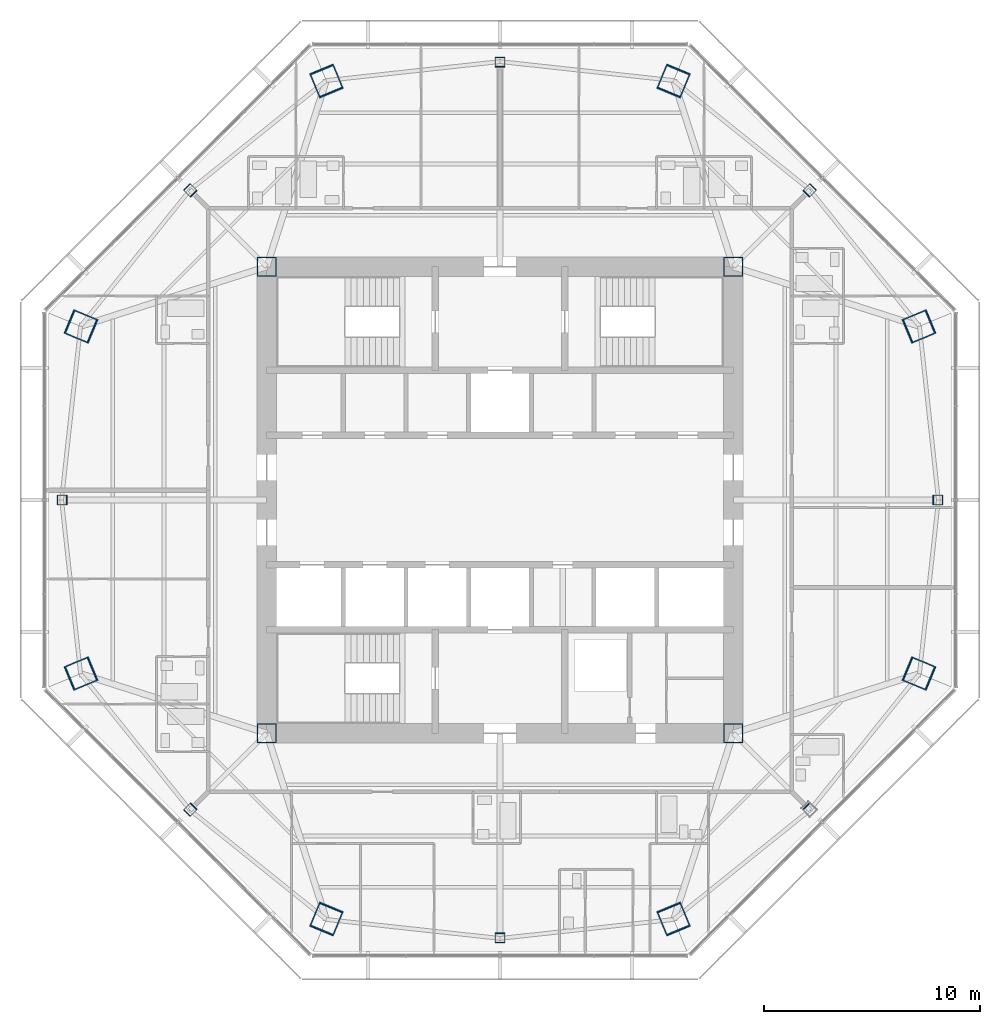
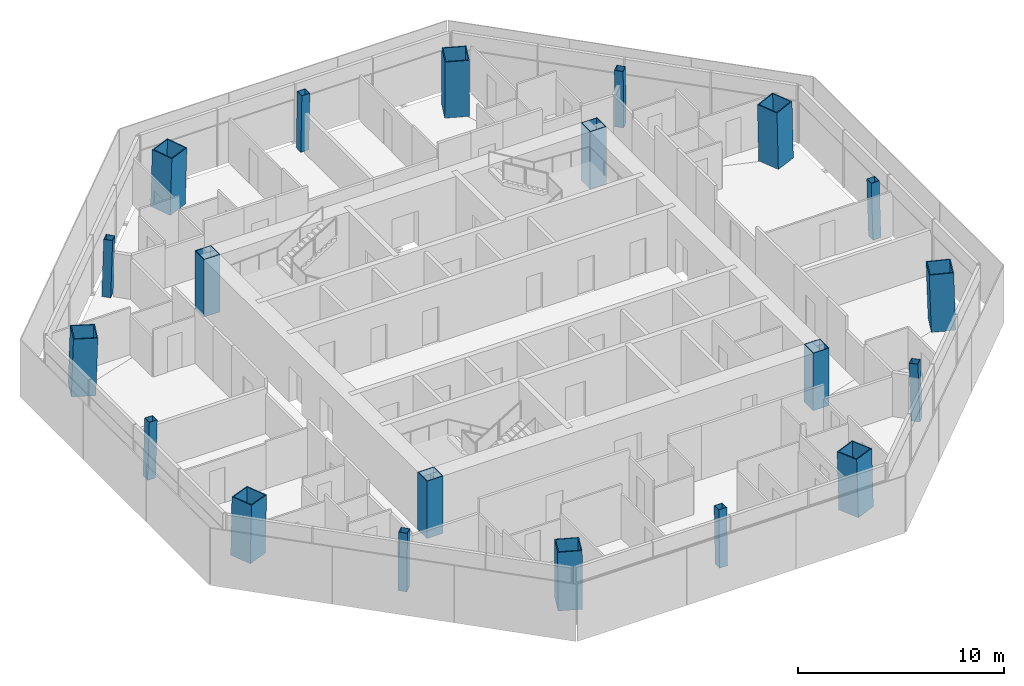
# One storey, part 1 of 14: 20 columns.
"""IFC4 building model written with IfcOpenShell, lengths in metres."""

from ifc_helpers import new_model, si_unit, direction, frame, origin, origin_2d, place, context, subcontext, project, spatial, hollow_rectangle, extrude, material, material_profile, profile_set, type_object, element, save


model = new_model("IFC4")

# Units and contexts
model_context = context("Model", 3, precision=1e-05, world=origin(), true_north=direction((0.0, 1.0)))
body_context = subcontext(model_context, "Body", "Model", "MODEL_VIEW")
ifc_project = project(units=[si_unit("LENGTHUNIT", "METRE"), si_unit("AREAUNIT", "SQUARE_METRE"), si_unit("VOLUMEUNIT", "CUBIC_METRE"), si_unit("PLANEANGLEUNIT", "RADIAN"), si_unit("MASSUNIT", "GRAM", prefix="KILO")], contexts=[model_context])

# Site, building, storey
site_placement = place(None, origin())
site = spatial("IfcSite", under=ifc_project, at=site_placement, CompositionType="ELEMENT")
building_placement = place(site_placement, origin())
building = spatial("IfcBuilding", under=site, at=building_placement, Name="Mashrafa Tower", CompositionType="ELEMENT")
storey_placement = place(building_placement, frame((0.0, 0.0, 244.800048828125)))
storey = spatial("IfcBuildingStorey", under=building, at=storey_placement, Name="L58", CompositionType="ELEMENT", Elevation=244.800048828125)

# Columns
ifc_material_1 = material(Name="Steel ASTM A572 Gr 50", Category="steel")
ifc_material_profile_1 = material_profile(ifc_material_1, hollow_rectangle(XDim=0.89990234375, YDim=0.89990234375, WallThickness=0.0400390625, at=origin_2d()), Name="BOX900X900X40")
ifc_profile_set_1 = profile_set([ifc_material_profile_1], Name="Steel ASTM A572 Gr 50")
column_type_1 = type_object("IfcColumnType", Name="Core corner column BOX900X900X40", PredefinedType="COLUMN", material=ifc_profile_set_1)
for number, where, z_axis, x_axis, name in (
    (1, (10.800048828125, 10.800048828125, 0.0), (0.0, 0.0, 1.0), (1.0, 0.0, 0.0), "Core corner column CC-NE L58"),
    (2, (-10.800048828125, 10.800048828125, 0.0), (0.0, 0.0, 1.0), (1.0, 0.0, 0.0), "Core corner column CC-NW L58"),
    (3, (-10.800048828125, -10.800048828125, 0.0), (0.0, 0.0, 1.0), (1.0, 0.0, 0.0), "Core corner column CC-SW L58"),
    (4, (10.800048828125, -10.800048828125, 0.0), (0.0, 0.0, 1.0), (1.0, 0.0, 0.0), "Core corner column CC-SE L58"),
):
    element("IfcColumn", number, at=place(storey_placement, frame(where, z_axis=z_axis, x_axis=x_axis)), inside=storey, type_object=column_type_1, Name=name, PredefinedType="COLUMN", context=body_context, shape_type="SweptSolid", body=[
        extrude(hollow_rectangle(XDim=0.89990234375, YDim=0.89990234375, WallThickness=0.0400390625, at=origin_2d()), origin(), (0.0, 0.0, 1.0), 3.39990234375),
    ])
ifc_material_2 = material(Name="Steel ASTM A572 Gr 50", Category="steel")
ifc_material_profile_2 = material_profile(ifc_material_2, hollow_rectangle(XDim=1.199951171875, YDim=1.199951171875, WallThickness=0.054931640625, at=origin_2d()), Name="BOX1200X1200X55")
ifc_profile_set_2 = profile_set([ifc_material_profile_2], Name="Steel ASTM A572 Gr 50")
column_type_2 = type_object("IfcColumnType", Name="Mega column CFST BOX1200X1200X55", PredefinedType="COLUMN", material=ifc_profile_set_2)
for number, where, z_axis, x_axis, name in (
    (5, (19.411376953125, 8.04052734375, 0.0), (-0.02827915051, -0.01169924247, 0.999531598986), (0.382282742426, -0.924045401938, 0.0), "Mega column MC1 L58"),
    (6, (8.04052734375, 19.411376953125, 0.0), (-0.01169924247, -0.02827915051, 0.999531598986), (0.924045401938, -0.382282742426, 0.0), "Mega column MC2 L58"),
    (7, (-8.04052734375, 19.411376953125, 0.0), (0.01169924247, -0.02827915051, 0.999531598986), (0.924045401938, 0.382282742426, 0.0), "Mega column MC3 L58"),
    (8, (-19.411376953125, 8.04052734375, 0.0), (0.02827915051, -0.01169924247, 0.999531598986), (0.382282742426, 0.924045401938, 0.0), "Mega column MC4 L58"),
    (9, (-19.411376953125, -8.04052734375, 0.0), (0.02827915051, 0.01169924247, 0.999531598986), (-0.382282742426, 0.924045401938, 0.0), "Mega column MC5 L58"),
    (10, (-8.04052734375, -19.411376953125, 0.0), (0.01169924247, 0.02827915051, 0.999531598986), (-0.924045401938, 0.382282742426, 0.0), "Mega column MC6 L58"),
    (11, (8.04052734375, -19.411376953125, 0.0), (-0.01169924247, 0.02827915051, 0.999531598986), (-0.924045401938, -0.382282742426, 0.0), "Mega column MC7 L58"),
    (12, (19.411376953125, -8.04052734375, 0.0), (-0.02827915051, 0.01169924247, 0.999531598986), (-0.382282742426, -0.924045401938, 0.0), "Mega column MC8 L58"),
):
    element("IfcColumn", number, at=place(storey_placement, frame(where, z_axis=z_axis, x_axis=x_axis)), inside=storey, type_object=column_type_2, Name=name, PredefinedType="COLUMN", context=body_context, shape_type="SweptSolid", body=[
        extrude(hollow_rectangle(XDim=1.199951171875, YDim=1.199951171875, WallThickness=0.054931640625, at=origin_2d()), origin(), (0.0, 0.0, 1.0), 3.401611328125),
    ])
ifc_material_3 = material(Name="Steel ASTM A572 Gr 50", Category="steel")
ifc_material_profile_3 = material_profile(ifc_material_3, hollow_rectangle(XDim=0.449951171875, YDim=0.449951171875, WallThickness=0.02001953125, at=origin_2d()), Name="BOX450X450X20")
ifc_profile_set_3 = profile_set([ifc_material_profile_3], Name="Steel ASTM A572 Gr 50")
column_type_3 = type_object("IfcColumnType", Name="Secondary column BOX450X450X20", PredefinedType="COLUMN", material=ifc_profile_set_3)
for number, where, z_axis, x_axis, name in (
    (13, (20.289794921875, 0.0, 0.0), (-0.028281086024, 0.0, 0.999600010091), (0.0, -1.0, 0.0), "Secondary column SC1 L58"),
    (14, (14.346923828125, 14.346923828125, 0.0), (-0.01995470925, -0.01995470925, 0.999601730269), (0.707106781187, -0.707106781187, 0.0), "Secondary column SC2 L58"),
    (15, (0.0, 20.289794921875, 0.0), (0.0, -0.028281086024, 0.999600010091), (1.0, 0.0, 0.0), "Secondary column SC3 L58"),
    (16, (-14.346923828125, 14.346923828125, 0.0), (0.01995470925, -0.01995470925, 0.999601730269), (0.707106781187, 0.707106781187, 0.0), "Secondary column SC4 L58"),
    (17, (-20.289794921875, 0.0, 0.0), (0.028281086024, 0.0, 0.999600010091), (0.0, 1.0, 0.0), "Secondary column SC5 L58"),
    (18, (-14.346923828125, -14.346923828125, 0.0), (0.01995470925, 0.01995470925, 0.999601730269), (-0.707106781187, 0.707106781187, 0.0), "Secondary column SC6 L58"),
    (19, (0.0, -20.289794921875, 0.0), (0.0, 0.028281086024, 0.999600010091), (-1.0, 0.0, 0.0), "Secondary column SC7 L58"),
    (20, (14.346923828125, -14.346923828125, 0.0), (-0.01995470925, 0.01995470925, 0.999601730269), (-0.707106781187, -0.707106781187, 0.0), "Secondary column SC8 L58"),
):
    element("IfcColumn", number, at=place(storey_placement, frame(where, z_axis=z_axis, x_axis=x_axis)), inside=storey, type_object=column_type_3, Name=name, PredefinedType="COLUMN", context=body_context, shape_type="SweptSolid", body=[
        extrude(hollow_rectangle(XDim=0.449951171875, YDim=0.449951171875, WallThickness=0.02001953125, at=origin_2d()), origin(), (0.0, 0.0, 1.0), 3.4013671875),
    ])

save(model, "model.ifc")
